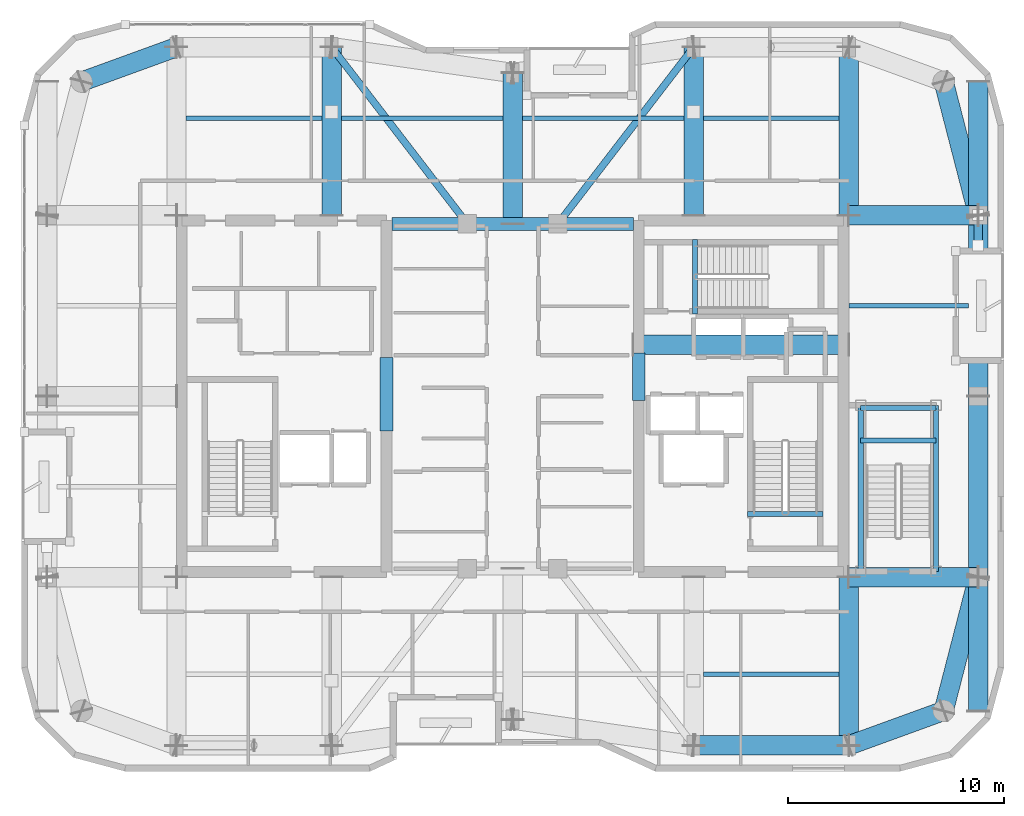
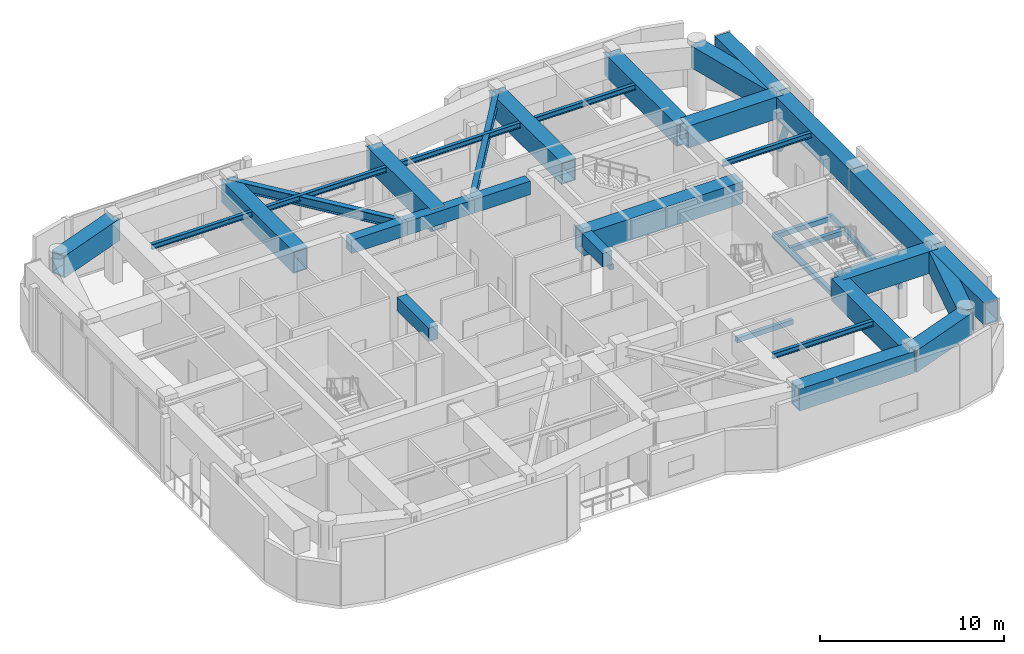
# One storey, part 5 of 17: 36 beams, 1 member.
"""IFC4 building model written with IfcOpenShell, lengths in metres."""

from ifc_helpers import new_model, si_unit, direction, frame, origin, origin_2d, place, context, subcontext, project, spatial, rectangle, hollow_rectangle, hollow_circle, i_section, extrude, material, material_profile, profile_set, type_object, element, save


model = new_model("IFC4")

# Units and contexts
model_context = context("Model", 3, precision=1e-05, world=origin(), true_north=direction((0.0, 1.0)))
body_context = subcontext(model_context, "Body", "Model", "MODEL_VIEW")
ifc_project = project(units=[si_unit("LENGTHUNIT", "METRE"), si_unit("AREAUNIT", "SQUARE_METRE"), si_unit("VOLUMEUNIT", "CUBIC_METRE"), si_unit("PLANEANGLEUNIT", "RADIAN"), si_unit("MASSUNIT", "GRAM", prefix="KILO")], contexts=[model_context])

# Site, building, storey
site_placement = place(None, origin())
site = spatial("IfcSite", under=ifc_project, at=site_placement, CompositionType="ELEMENT")
building_placement = place(site_placement, origin())
building = spatial("IfcBuilding", under=site, at=building_placement, Name="Kiyonajd Concourse Tower", CompositionType="ELEMENT")
storey_placement = place(building_placement, frame((0.0, 0.0, 350.39990234375)))
storey = spatial("IfcBuildingStorey", under=building, at=storey_placement, Name="L88", CompositionType="ELEMENT", Elevation=350.39990234375)

# Beams
ifc_material_1 = material(Name="Concrete C60/75", Category="concrete")
ifc_material_profile_1 = material_profile(ifc_material_1, rectangle(XDim=0.60009765625, YDim=0.89990234375, at=origin_2d()), Name="RCBM-600x900")
ifc_profile_set_1 = profile_set([ifc_material_profile_1], Name="Concrete C60/75")
beam_type_1 = type_object("IfcBeamType", Name="BM-COUP-900", PredefinedType="LINTEL", material=ifc_profile_set_1)
beam_1_placement = place(storey_placement, frame((42.39990234375, 44.0, 3.75), z_axis=(1.0, 0.0, 0.0), x_axis=(0.0, 1.0, 0.0)))
element("IfcBeam", 1, at=beam_1_placement, inside=storey, type_object=beam_type_1, Name="L88 Core Coupling Beam N1", PredefinedType="LINTEL", context=body_context, shape_type="SweptSolid", body=[
    extrude(rectangle(XDim=0.60009765625, YDim=0.89990234375, at=origin_2d()), origin(), (0.0, 0.0, 1.0), 3.5),
])
beam_2_placement = place(storey_placement, frame((45.89990234375, 44.0, 3.75), z_axis=(1.0, 0.0, 0.0), x_axis=(0.0, 1.0, 0.0)))
element("IfcBeam", 2, at=beam_2_placement, inside=storey, type_object=beam_type_1, Name="L88 Core Coupling Beam N2", PredefinedType="LINTEL", context=body_context, shape_type="SweptSolid", body=[
    extrude(rectangle(XDim=0.60009765625, YDim=0.89990234375, at=origin_2d()), origin(), (0.0, 0.0, 1.0), 4.2001953125),
])
beam_3_placement = place(storey_placement, frame((50.10009765625, 44.0, 3.75), z_axis=(1.0, 0.0, 0.0), x_axis=(0.0, 1.0, 0.0)))
element("IfcBeam", 3, at=beam_3_placement, inside=storey, type_object=beam_type_1, Name="L88 Core Coupling Beam N3", PredefinedType="LINTEL", context=body_context, shape_type="SweptSolid", body=[
    extrude(rectangle(XDim=0.60009765625, YDim=0.89990234375, at=origin_2d()), origin(), (0.0, 0.0, 1.0), 3.5),
])
beam_4_placement = place(storey_placement, frame((42.14990234375, 34.39990234375, 3.75), z_axis=(0.0, 1.0, 0.0), x_axis=(-1.0, 0.0, 0.0)))
element("IfcBeam", 4, at=beam_4_placement, inside=storey, type_object=beam_type_1, Name="L88 West Core Throat Coupling Lintel", PredefinedType="LINTEL", context=body_context, shape_type="SweptSolid", body=[
    extrude(rectangle(XDim=0.60009765625, YDim=0.89990234375, at=origin_2d()), origin(), (0.0, 0.0, 1.0), 3.400146484375),
])
beam_5_placement = place(storey_placement, frame((53.85009765625, 35.800048828125, 3.75), z_axis=(0.0, 1.0, 0.0), x_axis=(-1.0, 0.0, 0.0)))
element("IfcBeam", 5, at=beam_5_placement, inside=storey, type_object=beam_type_1, Name="L88 East Core Throat Coupling Lintel", PredefinedType="LINTEL", context=body_context, shape_type="SweptSolid", body=[
    extrude(rectangle(XDim=0.60009765625, YDim=0.89990234375, at=origin_2d()), origin(), (0.0, 0.0, 1.0), 2.199951171875),
])
ifc_material_2 = material(Name="Steel ASTM A992 Grade 50", Category="steel")
ifc_material_profile_2 = material_profile(ifc_material_2, i_section(OverallWidth=0.205078125, OverallDepth=0.35400390625, WebThickness=0.009521484375, FlangeThickness=0.016845703125, at=origin_2d()), Name="W360X79")
ifc_profile_set_2 = profile_set([ifc_material_profile_2], Name="Steel ASTM A992 Grade 50")
beam_type_2 = type_object("IfcBeamType", Name="BM-JST-360", PredefinedType="JOIST", material=ifc_profile_set_2)
for number, where, z_axis, x_axis, name in (
    (6, (56.85009765625, 23.10009765625, 3.983154296875), (1.0, 0.0, 0.0), (0.0, 1.0, 0.0), "L88 Secondary Floor Joist"),
    (7, (32.85009765625, 48.89990234375, 3.983154296875), (1.0, 0.0, 0.0), (0.0, 1.0, 0.0), "L88 Secondary Floor Joist"),
):
    element("IfcBeam", number, at=place(storey_placement, frame(where, z_axis=z_axis, x_axis=x_axis)), inside=storey, type_object=beam_type_2, Name=name, PredefinedType="JOIST", context=body_context, shape_type="SweptSolid", body=[
        extrude(i_section(OverallWidth=0.205078125, OverallDepth=0.35400390625, WebThickness=0.009521484375, FlangeThickness=0.016845703125, at=origin_2d()), origin(), (0.0, 0.0, 1.0), 6.2998046875),
    ])
for number, where, z_axis, x_axis, name in (
    (8, (40.050048828125, 48.89990234375, 3.983154296875), (1.0, 0.0, 0.0), (0.0, 1.0, 0.0), "L88 Secondary Floor Joist"),
    (9, (48.449951171875, 48.89990234375, 3.983154296875), (1.0, 0.0, 0.0), (0.0, 1.0, 0.0), "L88 Secondary Floor Joist"),
):
    element("IfcBeam", number, at=place(storey_placement, frame(where, z_axis=z_axis, x_axis=x_axis)), inside=storey, type_object=beam_type_2, Name=name, PredefinedType="JOIST", context=body_context, shape_type="SweptSolid", body=[
        extrude(i_section(OverallWidth=0.205078125, OverallDepth=0.35400390625, WebThickness=0.009521484375, FlangeThickness=0.016845703125, at=origin_2d()), origin(), (0.0, 0.0, 1.0), 7.5),
    ])
beam_6_placement = place(storey_placement, frame((56.85009765625, 48.89990234375, 3.983154296875), z_axis=(1.0, 0.0, 0.0), x_axis=(0.0, 1.0, 0.0)))
element("IfcBeam", 10, at=beam_6_placement, inside=storey, type_object=beam_type_2, Name="L88 Secondary Floor Joist", PredefinedType="JOIST", context=body_context, shape_type="SweptSolid", body=[
    extrude(i_section(OverallWidth=0.205078125, OverallDepth=0.35400390625, WebThickness=0.009521484375, FlangeThickness=0.016845703125, at=origin_2d()), origin(), (0.0, 0.0, 1.0), 6.2998046875),
])
beam_7_placement = place(storey_placement, frame((63.60009765625, 40.199951171875, 3.983154296875), z_axis=(1.0, 0.0, 0.0), x_axis=(0.0, 1.0, 0.0)))
element("IfcBeam", 11, at=beam_7_placement, inside=storey, type_object=beam_type_2, Name="L88 East Secondary Floor Joist", PredefinedType="JOIST", context=body_context, shape_type="SweptSolid", body=[
    extrude(i_section(OverallWidth=0.205078125, OverallDepth=0.35400390625, WebThickness=0.009521484375, FlangeThickness=0.016845703125, at=origin_2d()), origin(), (0.0, 0.0, 1.0), 5.5498046875),
])
ifc_material_3 = material(Name="Concrete C50/60", Category="concrete")
ifc_material_profile_3 = material_profile(ifc_material_3, rectangle(XDim=0.239990234375, YDim=0.320068359375, at=origin_2d()), Name="RCBM-240x320")
ifc_profile_set_3 = profile_set([ifc_material_profile_3], Name="Concrete C50/60")
beam_type_3 = type_object("IfcBeamType", Name="BM-LNT-250", PredefinedType="LINTEL", material=ifc_profile_set_3)
beam_8_placement = place(storey_placement, frame((58.889892578125, 30.530029296875, -0.159912109375), z_axis=(1.0, 0.0, 0.0), x_axis=(0.0, 1.0, 0.0)))
element("IfcBeam", 12, at=beam_8_placement, inside=storey, type_object=beam_type_3, Name="L88 Stair ST2 Threshold Support Beam", PredefinedType="LINTEL", context=body_context, shape_type="SweptSolid", body=[
    extrude(rectangle(XDim=0.239990234375, YDim=0.320068359375, at=origin_2d()), origin(), (0.0, 0.0, 1.0), 3.52001953125),
])
beam_9_placement = place(storey_placement, frame((56.4599609375, 39.820068359375, -0.159912109375), z_axis=(0.0, 1.0, 0.0), x_axis=(-1.0, 0.0, 0.0)))
element("IfcBeam", 13, at=beam_9_placement, inside=storey, type_object=beam_type_3, Name="L88 Stair ST3 Threshold Support Beam", PredefinedType="LINTEL", context=body_context, shape_type="SweptSolid", body=[
    extrude(rectangle(XDim=0.239990234375, YDim=0.320068359375, at=origin_2d()), origin(), (0.0, 0.0, 1.0), 3.4599609375),
])
for number, where, z_axis, x_axis, name in (
    (14, (64.14990234375, 33.949951171875, 1.89013671875), (1.0, 0.0, 0.0), (0.0, 1.0, 0.0), "L88 Stair ST6 Landing Support Beam"),
    (15, (64.14990234375, 35.449951171875, 1.89013671875), (1.0, 0.0, 0.0), (0.0, 1.0, 0.0), "L88 Stair ST6 Landing Support Beam"),
):
    element("IfcBeam", number, at=place(storey_placement, frame(where, z_axis=z_axis, x_axis=x_axis)), inside=storey, type_object=beam_type_3, Name=name, PredefinedType="LINTEL", context=body_context, shape_type="SweptSolid", body=[
        extrude(rectangle(XDim=0.239990234375, YDim=0.320068359375, at=origin_2d()), origin(), (0.0, 0.0, 1.0), 3.5),
    ])
for number, where, z_axis, x_axis, name in (
    (16, (64.14990234375, 27.8701171875, 1.89013671875), (0.0, 1.0, 0.0), (-1.0, 0.0, 0.0), "L88 Stair ST6 Side Stringer Beam"),
    (17, (67.64990234375, 27.8701171875, 1.89013671875), (0.0, 1.0, 0.0), (-1.0, 0.0, 0.0), "L88 Stair ST6 Side Stringer Beam"),
):
    element("IfcBeam", number, at=place(storey_placement, frame(where, z_axis=z_axis, x_axis=x_axis)), inside=storey, type_object=beam_type_3, Name=name, PredefinedType="LINTEL", context=body_context, shape_type="SweptSolid", body=[
        extrude(rectangle(XDim=0.239990234375, YDim=0.320068359375, at=origin_2d()), origin(), (0.0, 0.0, 1.0), 7.7099609375),
    ])
ifc_material_profile_4 = material_profile(ifc_material_2, i_section(OverallWidth=0.326904296875, OverallDepth=0.6220703125, WebThickness=0.015380859375, FlangeThickness=0.0244140625, at=origin_2d()), Name="W610X195")
ifc_profile_set_4 = profile_set([ifc_material_profile_4], Name="Steel ASTM A992 Grade 50")
beam_type_4 = type_object("IfcBeamType", Name="BM-TWR-610A", PredefinedType="BEAM", material=ifc_profile_set_4)
for number, where, z_axis, x_axis, name in (
    (18, (39.60009765625, 52.199951171875, 3.84912109375), (0.609233709922, -0.792990722956, 0.0), (0.792990722956, 0.609233709922, 0.0), "L88 Core Tie Girder"),
    (19, (50.10009765625, 44.0, 3.84912109375), (0.609233709922, 0.792990722956, 0.0), (-0.792990722956, 0.609233709922, 0.0), "L88 Core Tie Girder"),
):
    element("IfcBeam", number, at=place(storey_placement, frame(where, z_axis=z_axis, x_axis=x_axis)), inside=storey, type_object=beam_type_4, Name=name, PredefinedType="BEAM", context=body_context, shape_type="SweptSolid", body=[
        extrude(i_section(OverallWidth=0.326904296875, OverallDepth=0.6220703125, WebThickness=0.015380859375, FlangeThickness=0.0244140625, at=origin_2d()), origin(), (0.0, 0.0, 1.0), 10.340576171875),
    ])
ifc_material_4 = material(Name="Steel ASTM A572 Grade 50", Category="steel")
ifc_material_profile_5 = material_profile(ifc_material_4, hollow_rectangle(XDim=0.89990234375, YDim=1.449951171875, WallThickness=0.074951171875, at=origin_2d()), Name="BOX-1450x900x75")
ifc_profile_set_5 = profile_set([ifc_material_profile_5], Name="Steel ASTM A572 Grade 50")
beam_type_5 = type_object("IfcBeamType", Name="BM-XFER-1800", PredefinedType="BEAM", material=ifc_profile_set_5)
beam_10_placement = place(storey_placement, frame((53.60009765625, 38.39990234375, 3.43505859375), z_axis=(1.0, 0.0, 0.0), x_axis=(0.0, 1.0, 0.0)))
element("IfcBeam", 20, at=beam_10_placement, inside=storey, type_object=beam_type_5, Name="L88 Crown Mast Wall Transfer Girder", PredefinedType="BEAM", context=body_context, shape_type="SweptSolid", body=[
    extrude(hollow_rectangle(XDim=0.89990234375, YDim=1.449951171875, WallThickness=0.074951171875, at=origin_2d()), origin(), (0.0, 0.0, 1.0), 10.0),
])
beam_11_placement = place(storey_placement, frame((56.39990234375, 19.800048828125, 3.47509765625), z_axis=(1.0, 0.0, 0.0), x_axis=(0.0, 1.0, 0.0)))
element("IfcBeam", 21, at=beam_11_placement, inside=storey, type_object=beam_type_5, Name="L88 Perimeter Bundled Tube Spandrel", PredefinedType="BEAM", context=body_context, shape_type="SweptSolid", body=[
    extrude(hollow_rectangle(XDim=0.89990234375, YDim=1.449951171875, WallThickness=0.074951171875, at=origin_2d()), origin(), (0.0, 0.0, 1.0), 7.2001953125),
])
beam_12_placement = place(storey_placement, frame((63.60009765625, 19.800048828125, 3.43505859375), z_axis=(0.939801036019, 0.341722127901, 0.0), x_axis=(-0.341722127901, 0.939801036019, 0.0)))
element("IfcBeam", 22, at=beam_12_placement, inside=storey, type_object=beam_type_5, Name="L88 Perimeter Bundled Tube Spandrel", PredefinedType="BEAM", context=body_context, shape_type="SweptSolid", body=[
    extrude(hollow_rectangle(XDim=0.89990234375, YDim=1.449951171875, WallThickness=0.074951171875, at=origin_2d()), origin(), (0.0, 0.0, 1.0), 4.681640625),
])
beam_13_placement = place(storey_placement, frame((68.0, 21.39990234375, 3.43505859375), z_axis=(0.249884937687, 0.968275538221, 0.0), x_axis=(-0.968275538221, 0.249884937687, 0.0)))
element("IfcBeam", 23, at=beam_13_placement, inside=storey, type_object=beam_type_5, Name="L88 Perimeter Bundled Tube Spandrel", PredefinedType="BEAM", context=body_context, shape_type="SweptSolid", body=[
    extrude(hollow_rectangle(XDim=0.89990234375, YDim=1.449951171875, WallThickness=0.074951171875, at=origin_2d()), origin(), (0.0, 0.0, 1.0), 6.4033203125),
])
for number, where, z_axis, x_axis, name in (
    (24, (69.60009765625, 27.60009765625, 3.43505859375), (0.0, 1.0, 0.0), (-1.0, 0.0, 0.0), "L88 Perimeter Bundled Tube Spandrel"),
    (25, (69.60009765625, 36.0, 3.43505859375), (0.0, 1.0, 0.0), (-1.0, 0.0, 0.0), "L88 Perimeter Bundled Tube Spandrel"),
):
    element("IfcBeam", number, at=place(storey_placement, frame(where, z_axis=z_axis, x_axis=x_axis)), inside=storey, type_object=beam_type_5, Name=name, PredefinedType="BEAM", context=body_context, shape_type="SweptSolid", body=[
        extrude(hollow_rectangle(XDim=0.89990234375, YDim=1.449951171875, WallThickness=0.074951171875, at=origin_2d()), origin(), (0.0, 0.0, 1.0), 8.39990234375),
    ])
beam_14_placement = place(storey_placement, frame((69.60009765625, 44.39990234375, 3.43505859375), z_axis=(-0.249884937687, 0.968275538221, 0.0), x_axis=(-0.968275538221, -0.249884937687, 0.0)))
element("IfcBeam", 26, at=beam_14_placement, inside=storey, type_object=beam_type_5, Name="L88 Perimeter Bundled Tube Spandrel", PredefinedType="BEAM", context=body_context, shape_type="SweptSolid", body=[
    extrude(hollow_rectangle(XDim=0.89990234375, YDim=1.449951171875, WallThickness=0.074951171875, at=origin_2d()), origin(), (0.0, 0.0, 1.0), 6.4033203125),
])
beam_15_placement = place(storey_placement, frame((32.39990234375, 52.199951171875, 3.47509765625), z_axis=(-0.939801036019, -0.341722127901, 0.0), x_axis=(0.341722127901, -0.939801036019, 0.0)))
element("IfcBeam", 27, at=beam_15_placement, inside=storey, type_object=beam_type_5, Name="L88 Perimeter Bundled Tube Spandrel", PredefinedType="BEAM", context=body_context, shape_type="SweptSolid", body=[
    extrude(hollow_rectangle(XDim=0.89990234375, YDim=1.449951171875, WallThickness=0.074951171875, at=origin_2d()), origin(), (0.0, 0.0, 1.0), 4.681640625),
])
for number, where, z_axis, x_axis, name in (
    (28, (39.60009765625, 44.39990234375, 3.43505859375), (0.0, 1.0, 0.0), (-1.0, 0.0, 0.0), "L88 North Lease Girder"),
    (29, (56.39990234375, 44.39990234375, 3.43505859375), (0.0, 1.0, 0.0), (-1.0, 0.0, 0.0), "L88 North Lease Girder"),
    (30, (63.60009765625, 19.800048828125, 3.43505859375), (0.0, 1.0, 0.0), (-1.0, 0.0, 0.0), "L88 South Lease Girder"),
    (31, (63.60009765625, 44.39990234375, 3.43505859375), (0.0, 1.0, 0.0), (-1.0, 0.0, 0.0), "L88 North Lease Girder"),
):
    element("IfcBeam", number, at=place(storey_placement, frame(where, z_axis=z_axis, x_axis=x_axis)), inside=storey, type_object=beam_type_5, Name=name, PredefinedType="BEAM", context=body_context, shape_type="SweptSolid", body=[
        extrude(hollow_rectangle(XDim=0.89990234375, YDim=1.449951171875, WallThickness=0.074951171875, at=origin_2d()), origin(), (0.0, 0.0, 1.0), 7.800048828125),
    ])
beam_16_placement = place(storey_placement, frame((48.0, 44.0, 3.47509765625), z_axis=(0.0, 1.0, 0.0), x_axis=(-1.0, 0.0, 0.0)))
element("IfcBeam", 32, at=beam_16_placement, inside=storey, type_object=beam_type_5, Name="L88 North Ribbon Girder", PredefinedType="BEAM", context=body_context, shape_type="SweptSolid", body=[
    extrude(hollow_rectangle(XDim=0.89990234375, YDim=1.449951171875, WallThickness=0.074951171875, at=origin_2d()), origin(), (0.0, 0.0, 1.0), 7.0),
])
for number, where, z_axis, x_axis, name in (
    (33, (63.60009765625, 27.60009765625, 3.43505859375), (1.0, 0.0, 0.0), (0.0, 1.0, 0.0), "L88 East Lease Girder"),
    (34, (63.60009765625, 44.39990234375, 3.43505859375), (1.0, 0.0, 0.0), (0.0, 1.0, 0.0), "L88 East Lease Girder"),
):
    element("IfcBeam", number, at=place(storey_placement, frame(where, z_axis=z_axis, x_axis=x_axis)), inside=storey, type_object=beam_type_5, Name=name, PredefinedType="BEAM", context=body_context, shape_type="SweptSolid", body=[
        extrude(hollow_rectangle(XDim=0.89990234375, YDim=1.449951171875, WallThickness=0.074951171875, at=origin_2d()), origin(), (0.0, 0.0, 1.0), 6.0),
    ])
for number, where, z_axis, x_axis, name in (
    (35, (69.60009765625, 21.39990234375, 3.43505859375), (0.0, 1.0, 0.0), (-1.0, 0.0, 0.0), "L88 Column Transfer Girder"),
    (36, (69.60009765625, 44.39990234375, 3.43505859375), (0.0, 1.0, 0.0), (-1.0, 0.0, 0.0), "L88 Column Transfer Girder"),
):
    element("IfcBeam", number, at=place(storey_placement, frame(where, z_axis=z_axis, x_axis=x_axis)), inside=storey, type_object=beam_type_5, Name=name, PredefinedType="BEAM", context=body_context, shape_type="SweptSolid", body=[
        extrude(hollow_rectangle(XDim=0.89990234375, YDim=1.449951171875, WallThickness=0.074951171875, at=origin_2d()), origin(), (0.0, 0.0, 1.0), 6.2001953125),
    ])

# Member
ifc_material_5 = material(Name="Steel ASTM A500 Grade C", Category="steel")
ifc_material_profile_6 = material_profile(ifc_material_5, hollow_circle(Radius=0.202880859375, WallThickness=0.01904296875, at=origin_2d()), Name="CHS-406x19")
ifc_profile_set_6 = profile_set([ifc_material_profile_6], Name="Steel ASTM A500 Grade C")
member_type = type_object("IfcMemberType", Name="MB-PB-HIGH", PredefinedType="BRACE", material=ifc_profile_set_6)
member_placement = place(storey_placement, frame((69.60009765625, 44.39990234375, 0.300048828125), z_axis=(0.0, -0.366841684605, 0.930283386091), x_axis=(1.0, 0.0, 0.0)))
element("IfcMember", 37, at=member_placement, inside=storey, type_object=member_type, Name="L88 Upper Zone Hollow Tube Brace PBE", PredefinedType="BRACE", context=body_context, shape_type="SweptSolid", body=[
    extrude(hollow_circle(Radius=0.202880859375, WallThickness=0.01904296875, at=origin_2d()), origin(), (0.0, 0.0, 1.0), 3.816162109375),
])

save(model, "model.ifc")
